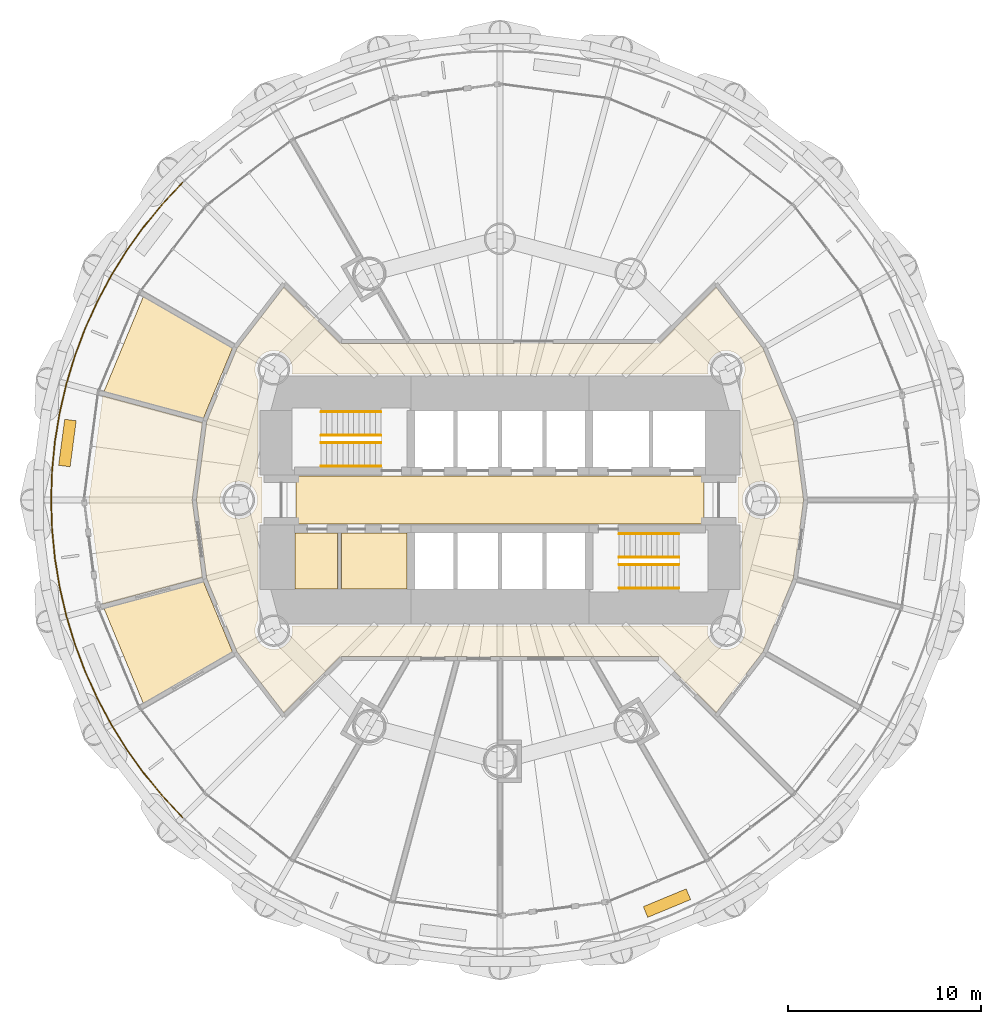
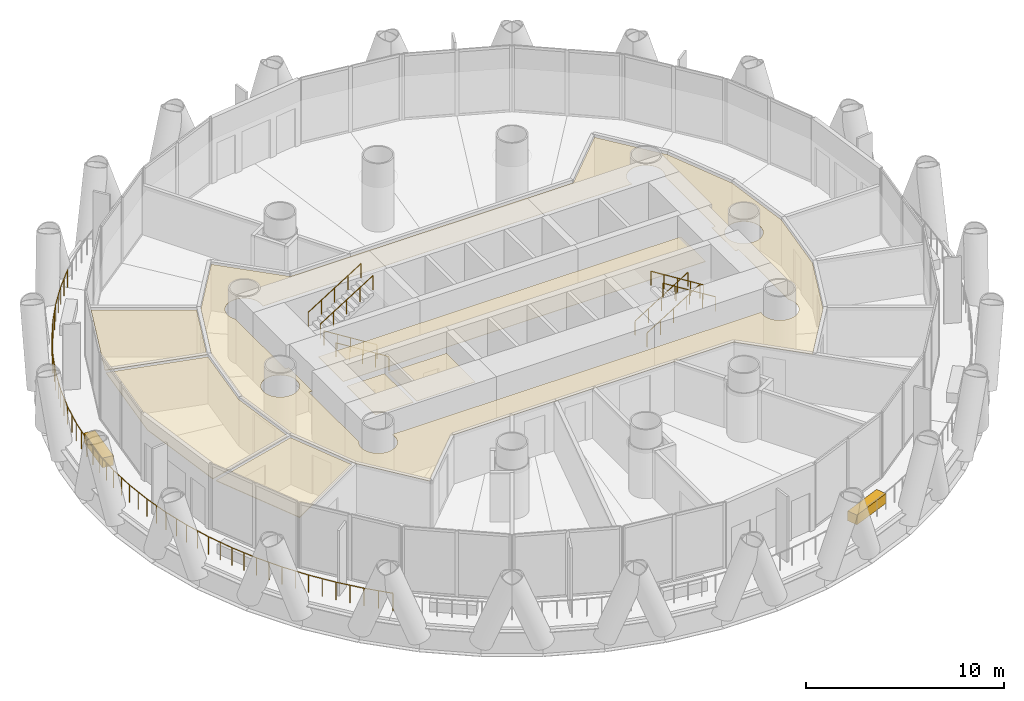
# One storey, part 14 of 16: 9 coverings, 9 railings.
"""IFC4 building model written with IfcOpenShell, lengths in metres."""

from ifc_helpers import new_model, si_unit, direction, frame, origin, origin_2d, place, context, subcontext, project, spatial, polyline, rectangle, circle, outline, extrude, material, layer, layer_set, type_object, element, save


model = new_model("IFC4")

# Units and contexts
model_context = context("Model", 3, precision=1e-05, world=origin(), true_north=direction((0.0, 1.0)))
body_context = subcontext(model_context, "Body", "Model", "MODEL_VIEW")
ifc_project = project(units=[si_unit("LENGTHUNIT", "METRE"), si_unit("AREAUNIT", "SQUARE_METRE"), si_unit("VOLUMEUNIT", "CUBIC_METRE"), si_unit("PLANEANGLEUNIT", "RADIAN"), si_unit("MASSUNIT", "GRAM", prefix="KILO")], contexts=[model_context])

# Site, building, storey
site_placement = place(None, origin())
site = spatial("IfcSite", under=ifc_project, at=site_placement, CompositionType="ELEMENT")
building_placement = place(site_placement, origin())
building = spatial("IfcBuilding", under=site, at=building_placement, Name="Qaws Media Tower", CompositionType="ELEMENT")
storey_placement = place(building_placement, frame((0.0, 0.0, 38.60009765625)))
storey = spatial("IfcBuildingStorey", under=building, at=storey_placement, Name="L07", CompositionType="ELEMENT", Elevation=38.60009765625)

# Coverings
ifc_material_1 = material(Name="40 perforated acoustic panels with mineral wool backing, suspended", Category="mineral fibre")
ifc_layer_1 = layer(ifc_material_1, 0.0400390625)
ifc_layer_set_1 = layer_set([ifc_layer_1], Name="Acoustic panel ceiling 40")
covering_type_1 = type_object("IfcCoveringType", Name="Acoustic panel ceiling 40", PredefinedType="CEILING", material=ifc_layer_set_1)
covering_1_placement = place(storey_placement, frame((0.0, 0.0, 2.849853515625)))
element("IfcCovering", 1, at=covering_1_placement, inside=storey, type_object=covering_type_1, Name="CL3 ceiling L07-04 Podcast booth", PredefinedType="CEILING", context=body_context, shape_type="SweptSolid", body=[
    extrude(outline(polyline([(41.56640625, 60.5126953125), (46.175048828125, 57.851806640625), (44.672119140625, 54.223388671875), (39.53173828125, 55.600830078125), (41.56640625, 60.5126953125)])), origin(), (0.0, 0.0, 1.0), 0.0400390625),
])
covering_2_placement = place(storey_placement, frame((0.0, 0.0, 2.849853515625)))
element("IfcCovering", 2, at=covering_2_placement, inside=storey, type_object=covering_type_1, Name="CL3 ceiling L07-05 Radio studio", PredefinedType="CEILING", context=body_context, shape_type="SweptSolid", body=[
    extrude(outline(polyline([(38.764892578125, 50.0), (39.473388671875, 55.383544921875), (44.614013671875, 54.006103515625), (44.08642578125, 50.0), (44.614013671875, 45.993896484375), (39.473388671875, 44.616455078125), (38.764892578125, 50.0)])), origin(), (0.0, 0.0, 1.0), 0.0400390625),
])
covering_3_placement = place(storey_placement, frame((0.0, 0.0, 2.849853515625)))
element("IfcCovering", 3, at=covering_3_placement, inside=storey, type_object=covering_type_1, Name="CL3 ceiling L07-06 Control room", PredefinedType="CEILING", context=body_context, shape_type="SweptSolid", body=[
    extrude(outline(polyline([(39.53173828125, 44.399169921875), (44.672119140625, 45.776611328125), (46.175048828125, 42.148193359375), (41.56640625, 39.4873046875), (39.53173828125, 44.399169921875)])), origin(), (0.0, 0.0, 1.0), 0.0400390625),
])

# Railing
ifc_material_2 = material(Name="Stainless steel and glass guard", Category="steel")
railing_type_1 = type_object("IfcRailingType", Name="Balcony guard 1100", PredefinedType="GUARDRAIL", material=ifc_material_2)
railing_placement = place(storey_placement, frame((43.59521484375, 66.40478515625, 0.0)))
element("IfcRailing", 4, at=railing_placement, inside=storey, type_object=railing_type_1, Name="GR1 balcony guard L07-2", PredefinedType="GUARDRAIL", context=body_context, shape_type="SweptSolid", body=[
    extrude(circle(Radius=0.02392578125, at=origin_2d()), frame((0.0, 0.0, 1.076171875), z_axis=(-0.683652198388, -0.729807969016, 0.0), x_axis=(0.729807969016, -0.683652198388, 0.0)), (0.0, 0.0, 1.0), 1.51806640625),
    extrude(circle(Radius=0.02392578125, at=origin_2d()), frame((-1.037841796875, -1.10791015625, 1.076171875), z_axis=(-0.634393000934, -0.773010685803, 0.0), x_axis=(0.773010685803, -0.634393000934, 0.0)), (0.0, 0.0, 1.0), 1.518310546875),
    extrude(circle(Radius=0.02392578125, at=origin_2d()), frame((-2.0009765625, -2.281494140625, 1.076171875), z_axis=(-0.582439258661, -0.812874227646, 0.0), x_axis=(0.812874227646, -0.582439258661, 0.0)), (0.0, 0.0, 1.0), 1.518310546875),
    extrude(circle(Radius=0.02392578125, at=origin_2d()), frame((-2.88525390625, -3.515625, 1.076171875), z_axis=(-0.528147294252, -0.849152775167, 0.0), x_axis=(0.849152775167, -0.528147294252, 0.0)), (0.0, 0.0, 1.0), 1.51806640625),
    extrude(circle(Radius=0.02392578125, at=origin_2d()), frame((-3.68701171875, -4.8046875, 1.076171875), z_axis=(-0.471297483953, -0.881974308934, 0.0), x_axis=(0.881974308934, -0.471297483953, 0.0)), (0.0, 0.0, 1.0), 1.518310546875),
    extrude(circle(Radius=0.02392578125, at=origin_2d()), frame((-4.402587890625, -6.143798828125, 1.076171875), z_axis=(-0.41279708395, -0.910823016553, 0.0), x_axis=(0.910823016553, -0.41279708395, 0.0)), (0.0, 0.0, 1.0), 1.518310546875),
    extrude(circle(Radius=0.02392578125, at=origin_2d()), frame((-5.029296875, -7.526611328125, 1.076171875), z_axis=(-0.352180618684, -0.935932055132, 0.0), x_axis=(0.935932055132, -0.352180618684, 0.0)), (0.0, 0.0, 1.0), 1.51806640625),
    extrude(circle(Radius=0.02392578125, at=origin_2d()), frame((-5.56396484375, -8.947509765625, 1.076171875), z_axis=(-0.290297524602, -0.956936438438, 0.0), x_axis=(0.956936438438, -0.290297524602, 0.0)), (0.0, 0.0, 1.0), 1.51806640625),
    extrude(circle(Radius=0.02392578125, at=origin_2d()), frame((-6.004638671875, -10.400146484375, 1.076171875), z_axis=(-0.227066936159, -0.973879153952, 0.0), x_axis=(0.973879153952, -0.227066936159, 0.0)), (0.0, 0.0, 1.0), 1.51806640625),
    extrude(circle(Radius=0.02392578125, at=origin_2d()), frame((-6.349365234375, -11.878662109375, 1.076171875), z_axis=(-0.162912287394, -0.986640555935, 0.0), x_axis=(0.986640555935, -0.162912287394, 0.0)), (0.0, 0.0, 1.0), 1.51806640625),
    extrude(circle(Radius=0.02392578125, at=origin_2d()), frame((-6.5966796875, -13.37646484375, 1.076171875), z_axis=(-0.098086686613, -0.995177874507, 0.0), x_axis=(0.995177874507, -0.098086686613, 0.0)), (0.0, 0.0, 1.0), 1.518310546875),
    extrude(circle(Radius=0.02392578125, at=origin_2d()), frame((-6.74560546875, -14.887451171875, 1.076171875), z_axis=(-0.032645502765, -0.999466993527, 0.0), x_axis=(0.999466993527, -0.032645502765, 0.0)), (0.0, 0.0, 1.0), 1.51806640625),
    extrude(circle(Radius=0.02392578125, at=origin_2d()), frame((-6.795166015625, -16.40478515625, 1.076171875), z_axis=(0.032645502765, -0.999466993527, 0.0), x_axis=(0.999466993527, 0.032645502765, 0.0)), (0.0, 0.0, 1.0), 1.51806640625),
    extrude(circle(Radius=0.02392578125, at=origin_2d()), frame((-6.74560546875, -17.922119140625, 1.076171875), z_axis=(0.098086686613, -0.995177874507, 0.0), x_axis=(0.995177874507, 0.098086686613, 0.0)), (0.0, 0.0, 1.0), 1.518310546875),
    extrude(circle(Radius=0.02392578125, at=origin_2d()), frame((-6.5966796875, -19.43310546875, 1.076171875), z_axis=(0.162912287394, -0.986640555935, 0.0), x_axis=(0.986640555935, 0.162912287394, 0.0)), (0.0, 0.0, 1.0), 1.51806640625),
    extrude(circle(Radius=0.02392578125, at=origin_2d()), frame((-6.349365234375, -20.930908203125, 1.076171875), z_axis=(0.227066936159, -0.973879153952, 0.0), x_axis=(0.973879153952, 0.227066936159, 0.0)), (0.0, 0.0, 1.0), 1.51806640625),
    extrude(circle(Radius=0.02392578125, at=origin_2d()), frame((-6.004638671875, -22.409423828125, 1.076171875), z_axis=(0.290297524602, -0.956936438438, 0.0), x_axis=(0.956936438438, 0.290297524602, 0.0)), (0.0, 0.0, 1.0), 1.51806640625),
    extrude(circle(Radius=0.02392578125, at=origin_2d()), frame((-5.56396484375, -23.862060546875, 1.076171875), z_axis=(0.352180618684, -0.935932055132, 0.0), x_axis=(0.935932055132, 0.352180618684, 0.0)), (0.0, 0.0, 1.0), 1.51806640625),
    extrude(circle(Radius=0.02392578125, at=origin_2d()), frame((-5.029296875, -25.282958984375, 1.076171875), z_axis=(0.41279708395, -0.910823016553, 0.0), x_axis=(0.910823016553, 0.41279708395, 0.0)), (0.0, 0.0, 1.0), 1.518310546875),
    extrude(circle(Radius=0.02392578125, at=origin_2d()), frame((-4.402587890625, -26.665771484375, 1.076171875), z_axis=(0.471297483953, -0.881974308934, 0.0), x_axis=(0.881974308934, 0.471297483953, 0.0)), (0.0, 0.0, 1.0), 1.518310546875),
    extrude(circle(Radius=0.02392578125, at=origin_2d()), frame((-3.68701171875, -28.0048828125, 1.076171875), z_axis=(0.528147294252, -0.849152775167, 0.0), x_axis=(0.849152775167, 0.528147294252, 0.0)), (0.0, 0.0, 1.0), 1.51806640625),
    extrude(circle(Radius=0.02392578125, at=origin_2d()), frame((-2.88525390625, -29.2939453125, 1.076171875), z_axis=(0.582439258661, -0.812874227646, 0.0), x_axis=(0.812874227646, 0.582439258661, 0.0)), (0.0, 0.0, 1.0), 1.518310546875),
    extrude(circle(Radius=0.02392578125, at=origin_2d()), frame((-2.0009765625, -30.528076171875, 1.076171875), z_axis=(0.634393000934, -0.773010685803, 0.0), x_axis=(0.773010685803, 0.634393000934, 0.0)), (0.0, 0.0, 1.0), 1.518310546875),
    extrude(circle(Radius=0.02392578125, at=origin_2d()), frame((-1.037841796875, -31.70166015625, 1.076171875), z_axis=(0.683652198388, -0.729807969016, 0.0), x_axis=(0.729807969016, 0.683652198388, 0.0)), (0.0, 0.0, 1.0), 1.51806640625),
    extrude(circle(Radius=0.02099609375, at=origin_2d()), origin(), (0.0, 0.0, 1.0), 1.052001953125),
    extrude(circle(Radius=0.02099609375, at=origin_2d()), frame((-0.51904296875, -0.553955078125, 0.0)), (0.0, 0.0, 1.0), 1.052001953125),
    extrude(circle(Radius=0.02099609375, at=origin_2d()), frame((-1.037841796875, -1.10791015625, 0.0)), (0.0, 0.0, 1.0), 1.052001953125),
    extrude(circle(Radius=0.02099609375, at=origin_2d()), frame((-1.51953125, -1.69482421875, 0.0)), (0.0, 0.0, 1.0), 1.052001953125),
    extrude(circle(Radius=0.02099609375, at=origin_2d()), frame((-2.0009765625, -2.281494140625, 0.0)), (0.0, 0.0, 1.0), 1.052001953125),
    extrude(circle(Radius=0.02099609375, at=origin_2d()), frame((-2.443115234375, -2.8984375, 0.0)), (0.0, 0.0, 1.0), 1.052001953125),
    extrude(circle(Radius=0.02099609375, at=origin_2d()), frame((-2.88525390625, -3.515625, 0.0)), (0.0, 0.0, 1.0), 1.052001953125),
    extrude(circle(Radius=0.02099609375, at=origin_2d()), frame((-3.2861328125, -4.16015625, 0.0)), (0.0, 0.0, 1.0), 1.052001953125),
    extrude(circle(Radius=0.02099609375, at=origin_2d()), frame((-3.68701171875, -4.8046875, 0.0)), (0.0, 0.0, 1.0), 1.052001953125),
    extrude(circle(Radius=0.02099609375, at=origin_2d()), frame((-4.044921875, -5.47412109375, 0.0)), (0.0, 0.0, 1.0), 1.052001953125),
    extrude(circle(Radius=0.02099609375, at=origin_2d()), frame((-4.402587890625, -6.143798828125, 0.0)), (0.0, 0.0, 1.0), 1.052001953125),
    extrude(circle(Radius=0.02099609375, at=origin_2d()), frame((-4.7158203125, -6.835205078125, 0.0)), (0.0, 0.0, 1.0), 1.052001953125),
    extrude(circle(Radius=0.02099609375, at=origin_2d()), frame((-5.029296875, -7.526611328125, 0.0)), (0.0, 0.0, 1.0), 1.052001953125),
    extrude(circle(Radius=0.02099609375, at=origin_2d()), frame((-5.296630859375, -8.237060546875, 0.0)), (0.0, 0.0, 1.0), 1.052001953125),
    extrude(circle(Radius=0.02099609375, at=origin_2d()), frame((-5.56396484375, -8.947509765625, 0.0)), (0.0, 0.0, 1.0), 1.052001953125),
    extrude(circle(Radius=0.02099609375, at=origin_2d()), frame((-5.7841796875, -9.673828125, 0.0)), (0.0, 0.0, 1.0), 1.052001953125),
    extrude(circle(Radius=0.02099609375, at=origin_2d()), frame((-6.004638671875, -10.400146484375, 0.0)), (0.0, 0.0, 1.0), 1.052001953125),
    extrude(circle(Radius=0.02099609375, at=origin_2d()), frame((-6.177001953125, -11.139404296875, 0.0)), (0.0, 0.0, 1.0), 1.052001953125),
    extrude(circle(Radius=0.02099609375, at=origin_2d()), frame((-6.349365234375, -11.878662109375, 0.0)), (0.0, 0.0, 1.0), 1.052001953125),
    extrude(circle(Radius=0.02099609375, at=origin_2d()), frame((-6.47314453125, -12.62744140625, 0.0)), (0.0, 0.0, 1.0), 1.052001953125),
    extrude(circle(Radius=0.02099609375, at=origin_2d()), frame((-6.5966796875, -13.37646484375, 0.0)), (0.0, 0.0, 1.0), 1.052001953125),
    extrude(circle(Radius=0.02099609375, at=origin_2d()), frame((-6.671142578125, -14.1318359375, 0.0)), (0.0, 0.0, 1.0), 1.052001953125),
    extrude(circle(Radius=0.02099609375, at=origin_2d()), frame((-6.74560546875, -14.887451171875, 0.0)), (0.0, 0.0, 1.0), 1.052001953125),
    extrude(circle(Radius=0.02099609375, at=origin_2d()), frame((-6.7705078125, -15.64599609375, 0.0)), (0.0, 0.0, 1.0), 1.052001953125),
    extrude(circle(Radius=0.02099609375, at=origin_2d()), frame((-6.795166015625, -16.40478515625, 0.0)), (0.0, 0.0, 1.0), 1.052001953125),
    extrude(circle(Radius=0.02099609375, at=origin_2d()), frame((-6.7705078125, -17.16357421875, 0.0)), (0.0, 0.0, 1.0), 1.052001953125),
    extrude(circle(Radius=0.02099609375, at=origin_2d()), frame((-6.74560546875, -17.922119140625, 0.0)), (0.0, 0.0, 1.0), 1.052001953125),
    extrude(circle(Radius=0.02099609375, at=origin_2d()), frame((-6.671142578125, -18.677734375, 0.0)), (0.0, 0.0, 1.0), 1.052001953125),
    extrude(circle(Radius=0.02099609375, at=origin_2d()), frame((-6.5966796875, -19.43310546875, 0.0)), (0.0, 0.0, 1.0), 1.052001953125),
    extrude(circle(Radius=0.02099609375, at=origin_2d()), frame((-6.47314453125, -20.18212890625, 0.0)), (0.0, 0.0, 1.0), 1.052001953125),
    extrude(circle(Radius=0.02099609375, at=origin_2d()), frame((-6.349365234375, -20.930908203125, 0.0)), (0.0, 0.0, 1.0), 1.052001953125),
    extrude(circle(Radius=0.02099609375, at=origin_2d()), frame((-6.177001953125, -21.670166015625, 0.0)), (0.0, 0.0, 1.0), 1.052001953125),
    extrude(circle(Radius=0.02099609375, at=origin_2d()), frame((-6.004638671875, -22.409423828125, 0.0)), (0.0, 0.0, 1.0), 1.052001953125),
    extrude(circle(Radius=0.02099609375, at=origin_2d()), frame((-5.7841796875, -23.1357421875, 0.0)), (0.0, 0.0, 1.0), 1.052001953125),
    extrude(circle(Radius=0.02099609375, at=origin_2d()), frame((-5.56396484375, -23.862060546875, 0.0)), (0.0, 0.0, 1.0), 1.052001953125),
    extrude(circle(Radius=0.02099609375, at=origin_2d()), frame((-5.296630859375, -24.572509765625, 0.0)), (0.0, 0.0, 1.0), 1.052001953125),
    extrude(circle(Radius=0.02099609375, at=origin_2d()), frame((-5.029296875, -25.282958984375, 0.0)), (0.0, 0.0, 1.0), 1.052001953125),
    extrude(circle(Radius=0.02099609375, at=origin_2d()), frame((-4.7158203125, -25.974365234375, 0.0)), (0.0, 0.0, 1.0), 1.052001953125),
    extrude(circle(Radius=0.02099609375, at=origin_2d()), frame((-4.402587890625, -26.665771484375, 0.0)), (0.0, 0.0, 1.0), 1.052001953125),
    extrude(circle(Radius=0.02099609375, at=origin_2d()), frame((-4.044921875, -27.33544921875, 0.0)), (0.0, 0.0, 1.0), 1.052001953125),
    extrude(circle(Radius=0.02099609375, at=origin_2d()), frame((-3.68701171875, -28.0048828125, 0.0)), (0.0, 0.0, 1.0), 1.052001953125),
    extrude(circle(Radius=0.02099609375, at=origin_2d()), frame((-3.2861328125, -28.6494140625, 0.0)), (0.0, 0.0, 1.0), 1.052001953125),
    extrude(circle(Radius=0.02099609375, at=origin_2d()), frame((-2.88525390625, -29.2939453125, 0.0)), (0.0, 0.0, 1.0), 1.052001953125),
    extrude(circle(Radius=0.02099609375, at=origin_2d()), frame((-2.443115234375, -29.9111328125, 0.0)), (0.0, 0.0, 1.0), 1.052001953125),
    extrude(circle(Radius=0.02099609375, at=origin_2d()), frame((-2.0009765625, -30.528076171875, 0.0)), (0.0, 0.0, 1.0), 1.052001953125),
    extrude(circle(Radius=0.02099609375, at=origin_2d()), frame((-1.51953125, -31.11474609375, 0.0)), (0.0, 0.0, 1.0), 1.052001953125),
    extrude(circle(Radius=0.02099609375, at=origin_2d()), frame((-1.037841796875, -31.70166015625, 0.0)), (0.0, 0.0, 1.0), 1.052001953125),
    extrude(circle(Radius=0.02099609375, at=origin_2d()), frame((-0.51904296875, -32.255615234375, 0.0)), (0.0, 0.0, 1.0), 1.052001953125),
    extrude(circle(Radius=0.02099609375, at=origin_2d()), frame((0.0, -32.8095703125, 0.0)), (0.0, 0.0, 1.0), 1.052001953125),
])

# Coverings
ifc_material_3 = material(Name="600 x 600 mineral fibre tiles in exposed grid, suspended", Category="mineral fibre")
ifc_layer_2 = layer(ifc_material_3, 0.02001953125)
ifc_layer_set_2 = layer_set([ifc_layer_2], Name="Mineral fibre tile ceiling 20")
covering_type_2 = type_object("IfcCoveringType", Name="Mineral fibre tile ceiling 20", PredefinedType="CEILING", material=ifc_layer_set_2)
covering_4_placement = place(storey_placement, frame((0.0, 0.0, 2.849853515625)))
element("IfcCovering", 5, at=covering_4_placement, inside=storey, type_object=covering_type_2, Name="CL1 ceiling L07-01 Corridor", PredefinedType="CEILING", context=body_context, shape_type="SweptSolid", body=[
    extrude(outline(polyline([(44.847900390625, 45.93994140625), (44.3134765625, 50.0), (44.847900390625, 54.06005859375), (46.4150390625, 57.84326171875), (48.8388671875, 61.001953125), (51.75341796875, 58.08740234375), (68.24658203125, 58.08740234375), (71.1611328125, 61.001953125), (73.5849609375, 57.84326171875), (75.152099609375, 54.06005859375), (75.6865234375, 50.0), (75.152099609375, 45.93994140625), (73.5849609375, 42.15673828125), (71.1611328125, 38.998046875), (68.24658203125, 41.91259765625), (51.75341796875, 41.91259765625), (48.8388671875, 38.998046875), (46.4150390625, 42.15673828125), (44.847900390625, 45.93994140625)]), holes=[polyline([(72.512451171875, 48.8125), (72.3125, 48.8125), (72.3125, 51.1875), (72.512451171875, 51.1875), (72.512451171875, 56.231201171875), (72.533935546875, 56.263427734375), (72.59033203125, 56.377685546875), (72.631103515625, 56.498291015625), (72.656005859375, 56.623046875), (72.664306640625, 56.75), (72.656005859375, 56.876953125), (72.631103515625, 57.001708984375), (72.59033203125, 57.122314453125), (72.533935546875, 57.236572265625), (72.46337890625, 57.34228515625), (72.37939453125, 57.43798828125), (72.28369140625, 57.52197265625), (72.177734375, 57.592529296875), (72.063720703125, 57.64892578125), (71.943115234375, 57.689697265625), (71.818359375, 57.714599609375), (71.69140625, 57.722900390625), (71.564208984375, 57.714599609375), (71.439453125, 57.689697265625), (71.319091796875, 57.64892578125), (71.204833984375, 57.592529296875), (71.09912109375, 57.52197265625), (71.00341796875, 57.43798828125), (70.91943359375, 57.34228515625), (70.8486328125, 57.236572265625), (70.79248046875, 57.122314453125), (70.75146484375, 57.001708984375), (70.726806640625, 56.876953125), (70.71826171875, 56.75), (70.726806640625, 56.623046875), (70.74853515625, 56.512451171875), (49.25146484375, 56.512451171875), (49.273193359375, 56.623046875), (49.28173828125, 56.75), (49.273193359375, 56.876953125), (49.24853515625, 57.001708984375), (49.20751953125, 57.122314453125), (49.1513671875, 57.236572265625), (49.08056640625, 57.34228515625), (48.99658203125, 57.43798828125), (48.90087890625, 57.52197265625), (48.795166015625, 57.592529296875), (48.680908203125, 57.64892578125), (48.560546875, 57.689697265625), (48.435791015625, 57.714599609375), (48.30859375, 57.722900390625), (48.181640625, 57.714599609375), (48.056884765625, 57.689697265625), (47.936279296875, 57.64892578125), (47.822265625, 57.592529296875), (47.71630859375, 57.52197265625), (47.62060546875, 57.43798828125), (47.53662109375, 57.34228515625), (47.466064453125, 57.236572265625), (47.40966796875, 57.122314453125), (47.368896484375, 57.001708984375), (47.343994140625, 56.876953125), (47.335693359375, 56.75), (47.343994140625, 56.623046875), (47.368896484375, 56.498291015625), (47.40966796875, 56.377685546875), (47.466064453125, 56.263427734375), (47.487548828125, 56.231201171875), (47.487548828125, 51.1875), (47.6875, 51.1875), (47.6875, 48.8125), (47.487548828125, 48.8125), (47.487548828125, 43.768798828125), (47.466064453125, 43.736572265625), (47.40966796875, 43.622314453125), (47.368896484375, 43.501708984375), (47.343994140625, 43.376953125), (47.335693359375, 43.25), (47.343994140625, 43.123046875), (47.368896484375, 42.998291015625), (47.40966796875, 42.877685546875), (47.466064453125, 42.763427734375), (47.53662109375, 42.65771484375), (47.62060546875, 42.56201171875), (47.71630859375, 42.47802734375), (47.822265625, 42.407470703125), (47.936279296875, 42.35107421875), (48.056884765625, 42.310302734375), (48.181640625, 42.285400390625), (48.30859375, 42.277099609375), (48.435791015625, 42.285400390625), (48.560546875, 42.310302734375), (48.680908203125, 42.35107421875), (48.795166015625, 42.407470703125), (48.90087890625, 42.47802734375), (48.99658203125, 42.56201171875), (49.08056640625, 42.65771484375), (49.1513671875, 42.763427734375), (49.20751953125, 42.877685546875), (49.24853515625, 42.998291015625), (49.273193359375, 43.123046875), (49.28173828125, 43.25), (49.273193359375, 43.376953125), (49.25146484375, 43.487548828125), (70.74853515625, 43.487548828125), (70.726806640625, 43.376953125), (70.71826171875, 43.25), (70.726806640625, 43.123046875), (70.75146484375, 42.998291015625), (70.79248046875, 42.877685546875), (70.8486328125, 42.763427734375), (70.91943359375, 42.65771484375), (71.00341796875, 42.56201171875), (71.09912109375, 42.47802734375), (71.204833984375, 42.407470703125), (71.319091796875, 42.35107421875), (71.439453125, 42.310302734375), (71.564208984375, 42.285400390625), (71.69140625, 42.277099609375), (71.818359375, 42.285400390625), (71.943115234375, 42.310302734375), (72.063720703125, 42.35107421875), (72.177734375, 42.407470703125), (72.28369140625, 42.47802734375), (72.37939453125, 42.56201171875), (72.46337890625, 42.65771484375), (72.533935546875, 42.763427734375), (72.59033203125, 42.877685546875), (72.631103515625, 42.998291015625), (72.656005859375, 43.123046875), (72.664306640625, 43.25), (72.656005859375, 43.376953125), (72.631103515625, 43.501708984375), (72.59033203125, 43.622314453125), (72.533935546875, 43.736572265625), (72.512451171875, 43.768798828125), (72.512451171875, 48.8125)]), polyline([(47.39892578125, 49.627685546875), (47.439697265625, 49.748291015625), (47.464599609375, 49.873046875), (47.472900390625, 50.0), (47.464599609375, 50.126953125), (47.439697265625, 50.251708984375), (47.39892578125, 50.372314453125), (47.342529296875, 50.486572265625), (47.27197265625, 50.59228515625), (47.18798828125, 50.68798828125), (47.09228515625, 50.77197265625), (46.986572265625, 50.842529296875), (46.872314453125, 50.89892578125), (46.751708984375, 50.939697265625), (46.626953125, 50.964599609375), (46.5, 50.972900390625), (46.373046875, 50.964599609375), (46.248291015625, 50.939697265625), (46.127685546875, 50.89892578125), (46.013427734375, 50.842529296875), (45.90771484375, 50.77197265625), (45.81201171875, 50.68798828125), (45.72802734375, 50.59228515625), (45.657470703125, 50.486572265625), (45.60107421875, 50.372314453125), (45.560302734375, 50.251708984375), (45.535400390625, 50.126953125), (45.527099609375, 50.0), (45.535400390625, 49.873046875), (45.560302734375, 49.748291015625), (45.60107421875, 49.627685546875), (45.657470703125, 49.513427734375), (45.72802734375, 49.40771484375), (45.81201171875, 49.31201171875), (45.90771484375, 49.22802734375), (46.013427734375, 49.157470703125), (46.127685546875, 49.10107421875), (46.248291015625, 49.060302734375), (46.373046875, 49.035400390625), (46.5, 49.027099609375), (46.626953125, 49.035400390625), (46.751708984375, 49.060302734375), (46.872314453125, 49.10107421875), (46.986572265625, 49.157470703125), (47.09228515625, 49.22802734375), (47.18798828125, 49.31201171875), (47.27197265625, 49.40771484375), (47.342529296875, 49.513427734375), (47.39892578125, 49.627685546875)]), polyline([(74.439697265625, 49.748291015625), (74.464599609375, 49.873046875), (74.472900390625, 50.0), (74.464599609375, 50.126953125), (74.439697265625, 50.251708984375), (74.39892578125, 50.372314453125), (74.342529296875, 50.486572265625), (74.27197265625, 50.59228515625), (74.18798828125, 50.68798828125), (74.09228515625, 50.77197265625), (73.986572265625, 50.842529296875), (73.872314453125, 50.89892578125), (73.751708984375, 50.939697265625), (73.626953125, 50.964599609375), (73.5, 50.972900390625), (73.373046875, 50.964599609375), (73.248291015625, 50.939697265625), (73.127685546875, 50.89892578125), (73.013427734375, 50.842529296875), (72.90771484375, 50.77197265625), (72.81201171875, 50.68798828125), (72.72802734375, 50.59228515625), (72.657470703125, 50.486572265625), (72.60107421875, 50.372314453125), (72.560302734375, 50.251708984375), (72.535400390625, 50.126953125), (72.527099609375, 50.0), (72.535400390625, 49.873046875), (72.560302734375, 49.748291015625), (72.60107421875, 49.627685546875), (72.657470703125, 49.513427734375), (72.72802734375, 49.40771484375), (72.81201171875, 49.31201171875), (72.90771484375, 49.22802734375), (73.013427734375, 49.157470703125), (73.127685546875, 49.10107421875), (73.248291015625, 49.060302734375), (73.373046875, 49.035400390625), (73.5, 49.027099609375), (73.626953125, 49.035400390625), (73.751708984375, 49.060302734375), (73.872314453125, 49.10107421875), (73.986572265625, 49.157470703125), (74.09228515625, 49.22802734375), (74.18798828125, 49.31201171875), (74.27197265625, 49.40771484375), (74.342529296875, 49.513427734375), (74.39892578125, 49.627685546875), (74.439697265625, 49.748291015625)])]), origin(), (0.0, 0.0, 1.0), 0.02001953125),
])
covering_5_placement = place(storey_placement, frame((0.0, 0.0, 2.849853515625)))
element("IfcCovering", 6, at=covering_5_placement, inside=storey, type_object=covering_type_2, Name="CL1 ceiling L07-C05 Shower room", PredefinedType="CEILING", context=body_context, shape_type="SweptSolid", body=[
    extrude(outline(polyline([(51.800048828125, 45.39990234375), (51.800048828125, 48.300048828125), (55.199951171875, 48.300048828125), (55.199951171875, 45.39990234375), (51.800048828125, 45.39990234375)])), origin(), (0.0, 0.0, 1.0), 0.02001953125),
])
ifc_material_4 = material(Name="Precast concrete planter with trailing planting", Category="concrete")
ifc_layer_3 = layer(ifc_material_4, 0.60009765625)
ifc_layer_set_3 = layer_set([ifc_layer_3], Name="Planter 2400x600")
covering_type_3 = type_object("IfcCoveringType", Name="Planter 2400x600", PredefinedType="USERDEFINED", material=ifc_layer_set_3)
for number, where, z_axis, x_axis, name in (
    (7, (37.642822265625, 52.943359375, -0.000244140625), (0.0, 0.0, 1.0), (-0.13052619222, -0.991444861374, 0.0), "PL1 balcony planter L07-06"),
    (8, (68.62939453125, 29.16650390625, -0.000244140625), (0.0, 0.0, 1.0), (0.923879532511, 0.382683432365, 0.0), "PL1 balcony planter L07-10"),
):
    element("IfcCovering", number, at=place(storey_placement, frame(where, z_axis=z_axis, x_axis=x_axis)), inside=storey, type_object=covering_type_3, Name=name, ObjectType="PLANTER", PredefinedType="USERDEFINED", context=body_context, shape_type="SweptSolid", body=[
        extrude(rectangle(XDim=2.39990234375, YDim=0.60009765625, at=origin_2d()), origin(), (0.0, 0.0, 1.0), 0.60009765625),
    ])
ifc_material_5 = material(Name="Two layers 12.5 moisture-resistant plasterboard on suspended metal furring", Category="gypsum")
ifc_layer_4 = layer(ifc_material_5, 0.02490234375)
ifc_layer_set_4 = layer_set([ifc_layer_4], Name="Plasterboard ceiling 25")
covering_type_4 = type_object("IfcCoveringType", Name="Plasterboard ceiling 25", PredefinedType="CEILING", material=ifc_layer_set_4)
covering_6_placement = place(storey_placement, frame((0.0, 0.0, 2.849853515625)))
element("IfcCovering", 9, at=covering_6_placement, inside=storey, type_object=covering_type_4, Name="CL2 ceiling L07-C01 Lift lobby", PredefinedType="CEILING", context=body_context, shape_type="SweptSolid", body=[
    extrude(outline(polyline([(49.449951171875, 48.75), (49.449951171875, 51.25), (70.550048828125, 51.25), (70.550048828125, 48.75), (49.449951171875, 48.75)])), origin(), (0.0, 0.0, 1.0), 0.025146484375),
])
covering_7_placement = place(storey_placement, frame((0.0, 0.0, 2.849853515625)))
element("IfcCovering", 10, at=covering_7_placement, inside=storey, type_object=covering_type_4, Name="CL2 ceiling L07-C04 Accessible WC", PredefinedType="CEILING", context=body_context, shape_type="SweptSolid", body=[
    extrude(outline(polyline([(49.39990234375, 45.39990234375), (49.39990234375, 48.300048828125), (51.60009765625, 48.300048828125), (51.60009765625, 45.39990234375), (49.39990234375, 45.39990234375)])), origin(), (0.0, 0.0, 1.0), 0.025146484375),
])

# Railings
ifc_material_6 = material(Name="Steel tube handrail", Category="steel")
railing_type_2 = type_object("IfcRailingType", Name="Stair handrail 900", PredefinedType="HANDRAIL", material=ifc_material_6)
for number, where, name in (
    (11, (53.840087890625, 51.75, 0.1748046875), "HR1 handrail S1 flight 1 L07"),
    (12, (53.840087890625, 52.9599609375, 0.1748046875), "HR1 handrail S1 flight 1 L07"),
):
    element("IfcRailing", number, at=place(storey_placement, frame(where)), inside=storey, type_object=railing_type_2, Name=name, PredefinedType="HANDRAIL", context=body_context, shape_type="SweptSolid", body=[
        extrude(circle(Radius=0.02392578125, at=origin_2d()), frame((0.0, 0.0, 0.8759765625), z_axis=(-0.847998304005, 0.0, 0.529998940003), x_axis=(0.0, -1.0, 0.0)), (0.0, 0.0, 1.0), 3.632080078125),
        extrude(circle(Radius=0.02099609375, at=origin_2d()), origin(), (0.0, 0.0, 1.0), 0.851806640625),
        extrude(circle(Radius=0.02099609375, at=origin_2d()), frame((-0.77001953125, 0.0, 0.481201171875)), (0.0, 0.0, 1.0), 0.851806640625),
        extrude(circle(Radius=0.02099609375, at=origin_2d()), frame((-1.5400390625, 0.0, 0.96240234375)), (0.0, 0.0, 1.0), 0.851806640625),
        extrude(circle(Radius=0.02099609375, at=origin_2d()), frame((-2.31005859375, 0.0, 1.44384765625)), (0.0, 0.0, 1.0), 0.851806640625),
        extrude(circle(Radius=0.02099609375, at=origin_2d()), frame((-3.080078125, 0.0, 1.925048828125)), (0.0, 0.0, 1.0), 0.851806640625),
    ])
for number, where, name in (
    (13, (50.760009765625, 54.550048828125, 2.27490234375), "HR1 handrail S1 flight 2 L07"),
    (14, (50.760009765625, 53.340087890625, 2.27490234375), "HR1 handrail S1 flight 2 L07"),
    (15, (66.159912109375, 48.25, 0.1748046875), "HR1 handrail S2 flight 1 L07"),
    (16, (66.159912109375, 47.0400390625, 0.1748046875), "HR1 handrail S2 flight 1 L07"),
):
    element("IfcRailing", number, at=place(storey_placement, frame(where)), inside=storey, type_object=railing_type_2, Name=name, PredefinedType="HANDRAIL", context=body_context, shape_type="SweptSolid", body=[
        extrude(circle(Radius=0.02392578125, at=origin_2d()), frame((0.0, 0.0, 0.8759765625), z_axis=(0.847998304005, 0.0, 0.529998940003), x_axis=(0.0, 1.0, 0.0)), (0.0, 0.0, 1.0), 3.632080078125),
        extrude(circle(Radius=0.02099609375, at=origin_2d()), origin(), (0.0, 0.0, 1.0), 0.851806640625),
        extrude(circle(Radius=0.02099609375, at=origin_2d()), frame((0.77001953125, 0.0, 0.481201171875)), (0.0, 0.0, 1.0), 0.851806640625),
        extrude(circle(Radius=0.02099609375, at=origin_2d()), frame((1.5400390625, 0.0, 0.96240234375)), (0.0, 0.0, 1.0), 0.851806640625),
        extrude(circle(Radius=0.02099609375, at=origin_2d()), frame((2.31005859375, 0.0, 1.44384765625)), (0.0, 0.0, 1.0), 0.851806640625),
        extrude(circle(Radius=0.02099609375, at=origin_2d()), frame((3.080078125, 0.0, 1.925048828125)), (0.0, 0.0, 1.0), 0.851806640625),
    ])
for number, where, name in (
    (17, (69.239990234375, 45.449951171875, 2.27490234375), "HR1 handrail S2 flight 2 L07"),
    (18, (69.239990234375, 46.659912109375, 2.27490234375), "HR1 handrail S2 flight 2 L07"),
):
    element("IfcRailing", number, at=place(storey_placement, frame(where)), inside=storey, type_object=railing_type_2, Name=name, PredefinedType="HANDRAIL", context=body_context, shape_type="SweptSolid", body=[
        extrude(circle(Radius=0.02392578125, at=origin_2d()), frame((0.0, 0.0, 0.8759765625), z_axis=(-0.847998304005, 0.0, 0.529998940003), x_axis=(0.0, -1.0, 0.0)), (0.0, 0.0, 1.0), 3.632080078125),
        extrude(circle(Radius=0.02099609375, at=origin_2d()), origin(), (0.0, 0.0, 1.0), 0.851806640625),
        extrude(circle(Radius=0.02099609375, at=origin_2d()), frame((-0.77001953125, 0.0, 0.481201171875)), (0.0, 0.0, 1.0), 0.851806640625),
        extrude(circle(Radius=0.02099609375, at=origin_2d()), frame((-1.5400390625, 0.0, 0.96240234375)), (0.0, 0.0, 1.0), 0.851806640625),
        extrude(circle(Radius=0.02099609375, at=origin_2d()), frame((-2.31005859375, 0.0, 1.44384765625)), (0.0, 0.0, 1.0), 0.851806640625),
        extrude(circle(Radius=0.02099609375, at=origin_2d()), frame((-3.080078125, 0.0, 1.925048828125)), (0.0, 0.0, 1.0), 0.851806640625),
    ])

save(model, "model.ifc")
